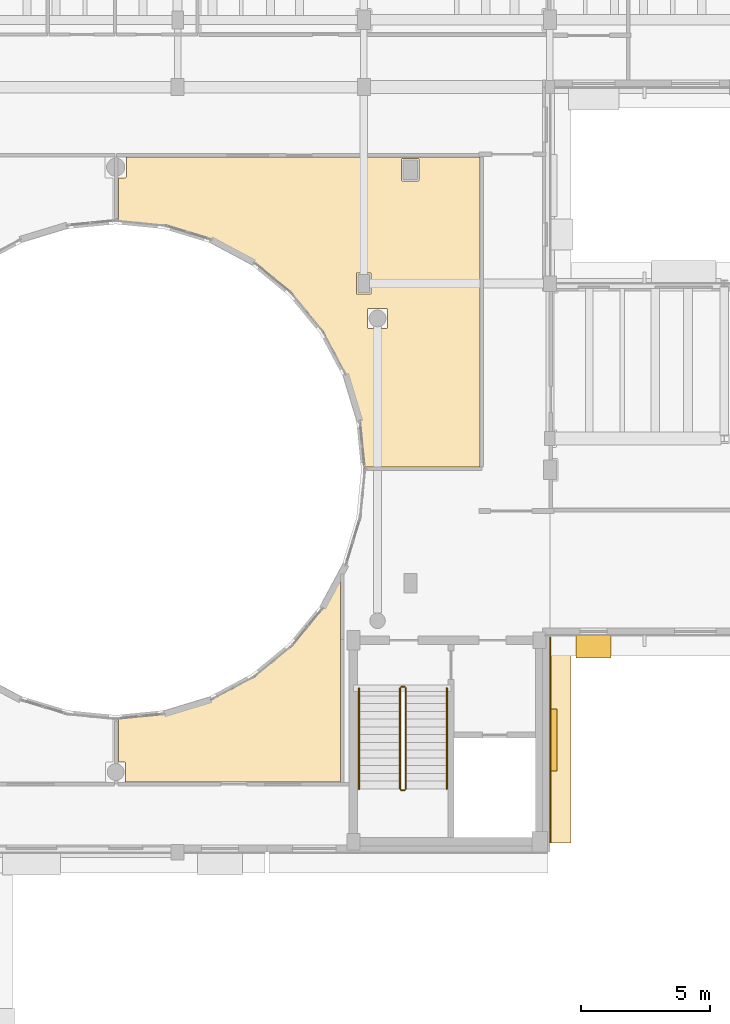
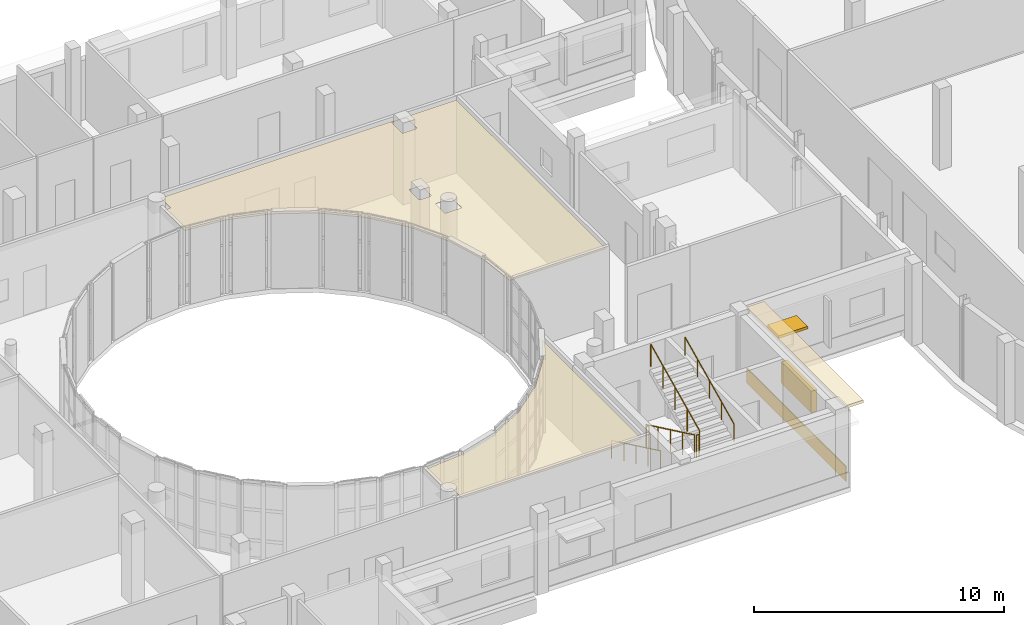
# One storey, part 96 of 105: 6 railings, 4 coverings, 2 shading devices.
"""IFC4 building model written with IfcOpenShell, lengths in metres."""

from ifc_helpers import new_model, si_unit, direction, frame, origin, origin_2d, place, context, subcontext, project, spatial, polyline, rectangle, circle, outline, extrude, material, layer, layer_set, type_object, element, save


model = new_model("IFC4")

# Units and contexts
model_context = context("Model", 3, precision=1e-05, world=origin(), true_north=direction((0.0, 1.0)))
body_context = subcontext(model_context, "Body", "Model", "MODEL_VIEW")
ifc_project = project(units=[si_unit("LENGTHUNIT", "METRE"), si_unit("AREAUNIT", "SQUARE_METRE"), si_unit("VOLUMEUNIT", "CUBIC_METRE"), si_unit("PLANEANGLEUNIT", "RADIAN"), si_unit("MASSUNIT", "GRAM", prefix="KILO")], contexts=[model_context])

# Site, building, storey
site_placement = place(None, origin())
site = spatial("IfcSite", under=ifc_project, at=site_placement, CompositionType="ELEMENT")
building_placement = place(site_placement, origin())
building = spatial("IfcBuilding", under=site, at=building_placement, Name="Kelanivale Promenade Academy", CompositionType="ELEMENT")
storey_placement = place(building_placement, frame((0.0, 0.0, 4.199951171875)))
storey = spatial("IfcBuildingStorey", under=building, at=storey_placement, Name="L01", CompositionType="ELEMENT", Elevation=4.199951171875)

# Coverings
ifc_material_1 = material(Name="Warm ivory Art Deco stucco frieze band 40 mm", Category="masonry")
ifc_layer_1 = layer(ifc_material_1, 0.0400390625)
ifc_layer_set_1 = layer_set([ifc_layer_1], Name="Warm ivory Art Deco stucco frieze band 40 mm")
covering_type_1 = type_object("IfcCoveringType", Name="COV-CLD2 Warm ivory Art Deco stucco frieze ba", PredefinedType="CLADDING", material=ifc_layer_set_1)
covering_1_placement = place(storey_placement, frame((116.0, 46.340087890625, 3.6201171875), z_axis=(0.0, 0.0, 1.0), x_axis=(0.0, 1.0, 0.0)))
element("IfcCovering", 1, at=covering_1_placement, inside=storey, type_object=covering_type_1, Name="Art Deco projecting 820 mm streamline sunshade eyebrow ledge", PredefinedType="CLADDING", context=body_context, shape_type="SweptSolid", body=[
    extrude(rectangle(XDim=7.9599609375, YDim=0.820068359375, at=origin_2d()), origin(), (0.0, 0.0, 1.0), 0.139892578125),
])
covering_2_placement = place(storey_placement, frame((115.614990234375, 46.340087890625, 0.06005859375), z_axis=(0.0, 0.0, 1.0), x_axis=(0.0, 1.0, 0.0)))
element("IfcCovering", 2, at=covering_2_placement, inside=storey, type_object=covering_type_1, Name="Art Deco ivory stucco sill frieze band", PredefinedType="CLADDING", context=body_context, shape_type="SweptSolid", body=[
    extrude(rectangle(XDim=7.9599609375, YDim=0.0400390625, at=origin_2d()), origin(), (0.0, 0.0, 1.0), 0.719970703125),
])
ifc_material_2 = material(Name="Acoustic mineral-fibre ceiling tile 25 mm", Category="gypsum")
ifc_layer_2 = layer(ifc_material_2, 0.02490234375)
ifc_layer_set_2 = layer_set([ifc_layer_2], Name="Acoustic mineral-fibre ceiling tile 25 mm")
covering_type_2 = type_object("IfcCoveringType", Name="COV-CLG1 Acoustic mineral-fibre ceiling tile ", PredefinedType="CEILING", material=ifc_layer_set_2)
covering_3_placement = place(storey_placement, frame((0.0, 0.0, 3.550048828125)))
element("IfcCovering", 3, at=covering_3_placement, inside=storey, type_object=covering_type_2, Name="Junior Classroom East A acoustic suspended ceiling", PredefinedType="CEILING", context=body_context, shape_type="SweptSolid", body=[
    extrude(outline(polyline([(105.636962890625, 49.989990234375), (105.632080078125, 49.98388671875), (105.6240234375, 49.97607421875), (105.615966796875, 49.968017578125), (105.610107421875, 49.962890625), (104.177001953125, 48.7880859375), (104.175048828125, 48.787109375), (104.166015625, 48.780029296875), (104.157958984375, 48.77392578125), (104.14794921875, 48.76806640625), (104.14501953125, 48.76611328125), (102.510009765625, 47.89306640625), (102.508056640625, 47.89208984375), (102.498046875, 47.886962890625), (102.489013671875, 47.884033203125), (102.47802734375, 47.8798828125), (102.47412109375, 47.8779296875), (100.700927734375, 47.340087890625), (100.69189453125, 47.337890625), (100.680908203125, 47.3359375), (100.679931640625, 47.3359375), (100.66796875, 47.333984375), (100.6630859375, 47.3330078125), (98.909912109375, 47.160888671875), (98.909912109375, 45.485107421875), (99.14501953125, 45.485107421875), (99.14892578125, 45.485107421875), (99.153076171875, 45.48388671875), (99.156982421875, 45.48291015625), (99.159912109375, 45.48193359375), (99.1640625, 45.47998046875), (99.1669921875, 45.47802734375), (99.169921875, 45.47607421875), (99.173095703125, 45.472900390625), (99.176025390625, 45.469970703125), (99.177978515625, 45.467041015625), (99.179931640625, 45.464111328125), (99.181884765625, 45.4599609375), (99.18310546875, 45.45703125), (99.18408203125, 45.452880859375), (99.18505859375, 45.448974609375), (99.18505859375, 45.445068359375), (99.18505859375, 44.7548828125), (99.18505859375, 44.7509765625), (99.18408203125, 44.7470703125), (99.18310546875, 44.742919921875), (99.181884765625, 44.739990234375), (99.179931640625, 44.736083984375), (99.177978515625, 44.73291015625), (99.176025390625, 44.72998046875), (99.173095703125, 44.72705078125), (99.169921875, 44.72412109375), (99.1669921875, 44.721923828125), (99.1640625, 44.719970703125), (99.159912109375, 44.718017578125), (99.156982421875, 44.717041015625), (99.153076171875, 44.716064453125), (99.14892578125, 44.715087890625), (99.14501953125, 44.715087890625), (98.909912109375, 44.715087890625), (98.909912109375, 44.7099609375), (107.489990234375, 44.7099609375), (107.489990234375, 52.68408203125), (106.833984375, 51.455078125), (106.83203125, 51.451904296875), (106.825927734375, 51.44189453125), (106.820068359375, 51.43408203125), (106.81298828125, 51.425048828125), (106.81201171875, 51.423095703125), (105.636962890625, 49.989990234375)])), origin(), (0.0, 0.0, 1.0), 0.02490234375),
])
covering_4_placement = place(storey_placement, frame((0.0, 0.0, 3.550048828125)))
element("IfcCovering", 4, at=covering_4_placement, inside=storey, type_object=covering_type_2, Name="Language Studio East B acoustic suspended ceiling", PredefinedType="CEILING", context=body_context, shape_type="SweptSolid", body=[
    extrude(outline(polyline([(112.889892578125, 68.889892578125), (99.205078125, 68.889892578125), (99.205078125, 68.888916015625), (99.20703125, 68.885009765625), (99.2080078125, 68.882080078125), (99.208984375, 68.8779296875), (99.2099609375, 68.8740234375), (99.2099609375, 68.8701171875), (99.2099609375, 68.1298828125), (99.2099609375, 68.1259765625), (99.208984375, 68.1220703125), (99.2080078125, 68.117919921875), (99.20703125, 68.114990234375), (99.205078125, 68.111083984375), (99.202880859375, 68.10791015625), (99.200927734375, 68.10498046875), (99.197998046875, 68.10205078125), (99.195068359375, 68.09912109375), (99.19189453125, 68.096923828125), (99.18896484375, 68.094970703125), (99.18505859375, 68.093017578125), (99.181884765625, 68.092041015625), (99.177978515625, 68.091064453125), (99.174072265625, 68.090087890625), (99.169921875, 68.090087890625), (98.909912109375, 68.090087890625), (98.909912109375, 66.43896484375), (100.6630859375, 66.26708984375), (100.66796875, 66.26611328125), (100.679931640625, 66.263916015625), (100.680908203125, 66.263916015625), (100.69189453125, 66.261962890625), (100.700927734375, 66.260009765625), (102.47412109375, 65.721923828125), (102.47802734375, 65.719970703125), (102.489013671875, 65.716064453125), (102.498046875, 65.712890625), (102.508056640625, 65.7080078125), (102.510009765625, 65.70703125), (104.14501953125, 64.833984375), (104.14794921875, 64.83203125), (104.157958984375, 64.825927734375), (104.166015625, 64.820068359375), (104.175048828125, 64.81298828125), (104.177001953125, 64.81201171875), (105.610107421875, 63.636962890625), (105.615966796875, 63.632080078125), (105.6240234375, 63.6240234375), (105.632080078125, 63.615966796875), (105.636962890625, 63.610107421875), (106.81201171875, 62.177001953125), (106.81298828125, 62.175048828125), (106.820068359375, 62.166015625), (106.825927734375, 62.157958984375), (106.83203125, 62.14794921875), (106.833984375, 62.14501953125), (107.70703125, 60.510009765625), (107.7080078125, 60.508056640625), (107.712890625, 60.498046875), (107.716064453125, 60.489013671875), (107.719970703125, 60.47802734375), (107.721923828125, 60.47412109375), (108.260009765625, 58.700927734375), (108.261962890625, 58.69189453125), (108.263916015625, 58.680908203125), (108.263916015625, 58.679931640625), (108.26611328125, 58.66796875), (108.26708984375, 58.6630859375), (108.43896484375, 56.909912109375), (112.889892578125, 56.909912109375), (112.889892578125, 68.889892578125)]), holes=[polyline([(110.534912109375, 68.0048828125), (110.534912109375, 68.0009765625), (110.533935546875, 67.9970703125), (110.532958984375, 67.992919921875), (110.531982421875, 67.989990234375), (110.530029296875, 67.986083984375), (110.528076171875, 67.98291015625), (110.52587890625, 67.97998046875), (110.52294921875, 67.97705078125), (110.52001953125, 67.97412109375), (110.51708984375, 67.971923828125), (110.513916015625, 67.969970703125), (110.510009765625, 67.968017578125), (110.507080078125, 67.967041015625), (110.5029296875, 67.966064453125), (110.4990234375, 67.965087890625), (110.4951171875, 67.965087890625), (109.905029296875, 67.965087890625), (109.90087890625, 67.965087890625), (109.89697265625, 67.966064453125), (109.89306640625, 67.967041015625), (109.889892578125, 67.968017578125), (109.885986328125, 67.969970703125), (109.883056640625, 67.971923828125), (109.8798828125, 67.97412109375), (109.876953125, 67.97705078125), (109.8740234375, 67.97998046875), (109.8720703125, 67.98291015625), (109.8701171875, 67.986083984375), (109.867919921875, 67.989990234375), (109.866943359375, 67.992919921875), (109.865966796875, 67.9970703125), (109.864990234375, 68.0009765625), (109.864990234375, 68.0048828125), (109.864990234375, 68.794921875), (109.864990234375, 68.799072265625), (109.865966796875, 68.802978515625), (109.866943359375, 68.806884765625), (109.867919921875, 68.81005859375), (109.8701171875, 68.81396484375), (109.8720703125, 68.81689453125), (109.8740234375, 68.820068359375), (109.876953125, 68.822998046875), (109.8798828125, 68.825927734375), (109.883056640625, 68.827880859375), (109.885986328125, 68.830078125), (109.889892578125, 68.83203125), (109.89306640625, 68.8330078125), (109.89697265625, 68.833984375), (109.90087890625, 68.8349609375), (109.905029296875, 68.8349609375), (110.4951171875, 68.8349609375), (110.4990234375, 68.8349609375), (110.5029296875, 68.833984375), (110.507080078125, 68.8330078125), (110.510009765625, 68.83203125), (110.513916015625, 68.830078125), (110.51708984375, 68.827880859375), (110.52001953125, 68.825927734375), (110.52294921875, 68.822998046875), (110.52587890625, 68.820068359375), (110.528076171875, 68.81689453125), (110.530029296875, 68.81396484375), (110.531982421875, 68.81005859375), (110.532958984375, 68.806884765625), (110.533935546875, 68.802978515625), (110.534912109375, 68.799072265625), (110.534912109375, 68.794921875), (110.534912109375, 68.0048828125)]), polyline([(109.277099609375, 63.034912109375), (109.281005859375, 63.034912109375), (109.284912109375, 63.033935546875), (109.2890625, 63.032958984375), (109.2919921875, 63.031982421875), (109.2958984375, 63.030029296875), (109.299072265625, 63.028076171875), (109.302001953125, 63.02587890625), (109.304931640625, 63.02294921875), (109.30810546875, 63.02001953125), (109.31005859375, 63.01708984375), (109.31201171875, 63.013916015625), (109.31396484375, 63.010009765625), (109.31494140625, 63.007080078125), (109.31591796875, 63.0029296875), (109.31689453125, 62.9990234375), (109.31689453125, 62.9951171875), (109.31689453125, 62.304931640625), (109.31689453125, 62.301025390625), (109.31591796875, 62.297119140625), (109.31494140625, 62.29296875), (109.31396484375, 62.2900390625), (109.31201171875, 62.285888671875), (109.31005859375, 62.282958984375), (109.30810546875, 62.280029296875), (109.304931640625, 62.277099609375), (109.302001953125, 62.27392578125), (109.299072265625, 62.27197265625), (109.2958984375, 62.27001953125), (109.2919921875, 62.26806640625), (109.2890625, 62.26708984375), (109.284912109375, 62.26611328125), (109.281005859375, 62.264892578125), (109.277099609375, 62.264892578125), (108.5869140625, 62.264892578125), (108.5830078125, 62.264892578125), (108.5791015625, 62.26611328125), (108.574951171875, 62.26708984375), (108.572021484375, 62.26806640625), (108.568115234375, 62.27001953125), (108.56494140625, 62.27197265625), (108.56201171875, 62.27392578125), (108.55908203125, 62.277099609375), (108.555908203125, 62.280029296875), (108.553955078125, 62.282958984375), (108.552001953125, 62.285888671875), (108.550048828125, 62.2900390625), (108.549072265625, 62.29296875), (108.548095703125, 62.297119140625), (108.547119140625, 62.301025390625), (108.547119140625, 62.304931640625), (108.547119140625, 62.9951171875), (108.547119140625, 62.9990234375), (108.548095703125, 63.0029296875), (108.549072265625, 63.007080078125), (108.550048828125, 63.010009765625), (108.552001953125, 63.013916015625), (108.553955078125, 63.01708984375), (108.555908203125, 63.02001953125), (108.55908203125, 63.02294921875), (108.56201171875, 63.02587890625), (108.56494140625, 63.028076171875), (108.568115234375, 63.030029296875), (108.572021484375, 63.031982421875), (108.574951171875, 63.032958984375), (108.5791015625, 63.033935546875), (108.5830078125, 63.034912109375), (108.5869140625, 63.034912109375), (109.277099609375, 63.034912109375)]), polyline([(108.68505859375, 63.6298828125), (108.68505859375, 63.6259765625), (108.68408203125, 63.6220703125), (108.68310546875, 63.617919921875), (108.681884765625, 63.614990234375), (108.679931640625, 63.611083984375), (108.677978515625, 63.60791015625), (108.676025390625, 63.60498046875), (108.673095703125, 63.60205078125), (108.669921875, 63.59912109375), (108.6669921875, 63.596923828125), (108.6640625, 63.594970703125), (108.659912109375, 63.593017578125), (108.656982421875, 63.592041015625), (108.653076171875, 63.591064453125), (108.64892578125, 63.590087890625), (108.64501953125, 63.590087890625), (108.155029296875, 63.590087890625), (108.15087890625, 63.590087890625), (108.14697265625, 63.591064453125), (108.14306640625, 63.592041015625), (108.139892578125, 63.593017578125), (108.135986328125, 63.594970703125), (108.133056640625, 63.596923828125), (108.1298828125, 63.59912109375), (108.126953125, 63.60205078125), (108.1240234375, 63.60498046875), (108.1220703125, 63.60791015625), (108.1201171875, 63.611083984375), (108.117919921875, 63.614990234375), (108.116943359375, 63.617919921875), (108.115966796875, 63.6220703125), (108.114990234375, 63.6259765625), (108.114990234375, 63.6298828125), (108.114990234375, 64.3701171875), (108.114990234375, 64.3740234375), (108.115966796875, 64.3779296875), (108.116943359375, 64.382080078125), (108.117919921875, 64.385009765625), (108.1201171875, 64.388916015625), (108.1220703125, 64.39208984375), (108.1240234375, 64.39501953125), (108.126953125, 64.39794921875), (108.1298828125, 64.40087890625), (108.133056640625, 64.403076171875), (108.135986328125, 64.405029296875), (108.139892578125, 64.406982421875), (108.14306640625, 64.407958984375), (108.14697265625, 64.408935546875), (108.15087890625, 64.409912109375), (108.155029296875, 64.409912109375), (108.64501953125, 64.409912109375), (108.64892578125, 64.409912109375), (108.653076171875, 64.408935546875), (108.656982421875, 64.407958984375), (108.659912109375, 64.406982421875), (108.6640625, 64.405029296875), (108.6669921875, 64.403076171875), (108.669921875, 64.40087890625), (108.673095703125, 64.39794921875), (108.676025390625, 64.39501953125), (108.677978515625, 64.39208984375), (108.679931640625, 64.388916015625), (108.681884765625, 64.385009765625), (108.68310546875, 64.382080078125), (108.68408203125, 64.3779296875), (108.68505859375, 64.3740234375), (108.68505859375, 64.3701171875), (108.68505859375, 63.6298828125)])]), origin(), (0.0, 0.0, 1.0), 0.02490234375),
])

# Railings
ifc_material_3 = material(Name="Brushed stainless steel grade 316", Category="steel")
railing_type_1 = type_object("IfcRailingType", Name="GR-01 Stair Guard 1100mm", PredefinedType="BALUSTRADE", material=ifc_material_3)
railing_1_placement = place(storey_placement, frame((109.804931640625, 48.344970703125, 0.142822265625)))
element("IfcRailing", 5, at=railing_1_placement, inside=storey, type_object=railing_type_1, Name="L01 ST-03 stair guard 1", PredefinedType="BALUSTRADE", context=body_context, shape_type="SweptSolid", body=[
    extrude(circle(Radius=0.02392578125, at=origin_2d()), frame((0.0, 0.0, 1.09619140625), z_axis=(0.0, -0.902853205547, 0.429948937937), x_axis=(1.0, 0.0, 0.0)), (0.0, 0.0, 1.0), 4.319580078125),
    extrude(circle(Radius=0.02099609375, at=origin_2d()), origin(), (0.0, 0.0, 1.0), 1.072021484375),
    extrude(circle(Radius=0.02099609375, at=origin_2d()), frame((0.0, -0.97509765625, 0.46435546875)), (0.0, 0.0, 1.0), 1.072021484375),
    extrude(circle(Radius=0.02099609375, at=origin_2d()), frame((0.0, -1.949951171875, 0.9287109375)), (0.0, 0.0, 1.0), 1.072021484375),
    extrude(circle(Radius=0.02099609375, at=origin_2d()), frame((0.0, -2.9248046875, 1.392822265625)), (0.0, 0.0, 1.0), 1.072021484375),
    extrude(circle(Radius=0.02099609375, at=origin_2d()), frame((0.0, -3.89990234375, 1.857177734375)), (0.0, 0.0, 1.0), 1.072021484375),
])
railing_2_placement = place(storey_placement, frame((109.85498046875, 44.39501953125, 2.0)))
element("IfcRailing", 6, at=railing_2_placement, inside=storey, type_object=railing_type_1, Name="L01 ST-03 stair guard 2", PredefinedType="BALUSTRADE", context=body_context, shape_type="SweptSolid", body=[
    extrude(circle(Radius=0.02392578125, at=origin_2d()), frame((0.0, 0.0, 1.09619140625), z_axis=(1.0, 0.0, 0.0), x_axis=(0.0, 1.0, 0.0)), (0.0, 0.0, 1.0), 0.1201171875),
    extrude(circle(Radius=0.02099609375, at=origin_2d()), origin(), (0.0, 0.0, 1.0), 1.072021484375),
    extrude(circle(Radius=0.02099609375, at=origin_2d()), frame((0.1201171875, 0.0, 0.0)), (0.0, 0.0, 1.0), 1.072021484375),
])
railing_3_placement = place(storey_placement, frame((110.02490234375, 44.445068359375, 2.142822265625)))
element("IfcRailing", 7, at=railing_3_placement, inside=storey, type_object=railing_type_1, Name="L01 ST-03 stair guard 3", PredefinedType="BALUSTRADE", context=body_context, shape_type="SweptSolid", body=[
    extrude(circle(Radius=0.02392578125, at=origin_2d()), frame((0.0, 0.0, 1.09619140625), z_axis=(0.0, 0.902853205547, 0.429948937937), x_axis=(-1.0, 0.0, 0.0)), (0.0, 0.0, 1.0), 4.319580078125),
    extrude(circle(Radius=0.02099609375, at=origin_2d()), origin(), (0.0, 0.0, 1.0), 1.072021484375),
    extrude(circle(Radius=0.02099609375, at=origin_2d()), frame((0.0, 0.97509765625, 0.46435546875)), (0.0, 0.0, 1.0), 1.072021484375),
    extrude(circle(Radius=0.02099609375, at=origin_2d()), frame((0.0, 1.949951171875, 0.9287109375)), (0.0, 0.0, 1.0), 1.072021484375),
    extrude(circle(Radius=0.02099609375, at=origin_2d()), frame((0.0, 2.9248046875, 1.392822265625)), (0.0, 0.0, 1.0), 1.072021484375),
    extrude(circle(Radius=0.02099609375, at=origin_2d()), frame((0.0, 3.89990234375, 1.857177734375)), (0.0, 0.0, 1.0), 1.072021484375),
])
railing_4_placement = place(storey_placement, frame((109.85498046875, 48.39501953125, 0.0)))
element("IfcRailing", 8, at=railing_4_placement, inside=storey, type_object=railing_type_1, Name="L01 ST-03 stair guard 4", PredefinedType="BALUSTRADE", context=body_context, shape_type="SweptSolid", body=[
    extrude(circle(Radius=0.02392578125, at=origin_2d()), frame((0.0, 0.0, 1.09619140625), z_axis=(1.0, 0.0, 0.0), x_axis=(0.0, 1.0, 0.0)), (0.0, 0.0, 1.0), 0.1201171875),
    extrude(circle(Radius=0.02099609375, at=origin_2d()), origin(), (0.0, 0.0, 1.0), 1.072021484375),
    extrude(circle(Radius=0.02099609375, at=origin_2d()), frame((0.1201171875, 0.0, 0.0)), (0.0, 0.0, 1.0), 1.072021484375),
])
railing_type_2 = type_object("IfcRailingType", Name="HR-01 Pitch Handrail 900mm", PredefinedType="HANDRAIL", material=ifc_material_3)
railing_5_placement = place(storey_placement, frame((108.215087890625, 48.344970703125, 0.142822265625)))
element("IfcRailing", 9, at=railing_5_placement, inside=storey, type_object=railing_type_2, Name="L01 ST-03 stair handrail 1", PredefinedType="HANDRAIL", context=body_context, shape_type="SweptSolid", body=[
    extrude(circle(Radius=0.02392578125, at=origin_2d()), frame((0.0, 0.0, 0.8759765625), z_axis=(0.0, -0.902853205547, 0.429948937937), x_axis=(1.0, 0.0, 0.0)), (0.0, 0.0, 1.0), 4.319580078125),
    extrude(circle(Radius=0.02099609375, at=origin_2d()), origin(), (0.0, 0.0, 1.0), 0.851806640625),
    extrude(circle(Radius=0.02099609375, at=origin_2d()), frame((0.0, -0.97509765625, 0.46435546875)), (0.0, 0.0, 1.0), 0.851806640625),
    extrude(circle(Radius=0.02099609375, at=origin_2d()), frame((0.0, -1.949951171875, 0.9287109375)), (0.0, 0.0, 1.0), 0.851806640625),
    extrude(circle(Radius=0.02099609375, at=origin_2d()), frame((0.0, -2.9248046875, 1.392822265625)), (0.0, 0.0, 1.0), 0.851806640625),
    extrude(circle(Radius=0.02099609375, at=origin_2d()), frame((0.0, -3.89990234375, 1.857177734375)), (0.0, 0.0, 1.0), 0.851806640625),
])
railing_6_placement = place(storey_placement, frame((111.614990234375, 44.445068359375, 2.142822265625)))
element("IfcRailing", 10, at=railing_6_placement, inside=storey, type_object=railing_type_2, Name="L01 ST-03 stair handrail 2", PredefinedType="HANDRAIL", context=body_context, shape_type="SweptSolid", body=[
    extrude(circle(Radius=0.02392578125, at=origin_2d()), frame((0.0, 0.0, 0.8759765625), z_axis=(0.0, 0.902853205547, 0.429948937937), x_axis=(-1.0, 0.0, 0.0)), (0.0, 0.0, 1.0), 4.319580078125),
    extrude(circle(Radius=0.02099609375, at=origin_2d()), origin(), (0.0, 0.0, 1.0), 0.851806640625),
    extrude(circle(Radius=0.02099609375, at=origin_2d()), frame((0.0, 0.97509765625, 0.46435546875)), (0.0, 0.0, 1.0), 0.851806640625),
    extrude(circle(Radius=0.02099609375, at=origin_2d()), frame((0.0, 1.949951171875, 0.9287109375)), (0.0, 0.0, 1.0), 0.851806640625),
    extrude(circle(Radius=0.02099609375, at=origin_2d()), frame((0.0, 2.9248046875, 1.392822265625)), (0.0, 0.0, 1.0), 0.851806640625),
    extrude(circle(Radius=0.02099609375, at=origin_2d()), frame((0.0, 3.89990234375, 1.857177734375)), (0.0, 0.0, 1.0), 0.851806640625),
])

# Shading devices
ifc_material_4 = material(Name="Precast concrete C40/50", Category="concrete")
ifc_layer_3 = layer(ifc_material_4, 0.1201171875)
ifc_layer_set_3 = layer_set([ifc_layer_3], Name="Precast concrete C40/50")
shading_device_type_1 = type_object("IfcShadingDeviceType", Name="SHD-01 Art Deco Sunshade Eyebrow 900mm", PredefinedType="USERDEFINED", material=ifc_layer_set_3)
shading_device_1_placement = place(storey_placement, frame((117.2900390625, 49.9599609375, 2.360107421875), z_axis=(0.0, 0.0, 1.0), x_axis=(1.0, 0.0, 0.0)))
element("IfcShadingDevice", 11, at=shading_device_1_placement, inside=storey, type_object=shading_device_type_1, Name="Art Deco 900 mm precast chajja window sunshade", ObjectType="SUNSHADE", PredefinedType="USERDEFINED", context=body_context, shape_type="SweptSolid", body=[
    extrude(rectangle(XDim=1.35009765625, YDim=0.89990234375, at=origin_2d()), origin(), (0.0, 0.0, 1.0), 0.1201171875),
])
ifc_material_5 = material(Name="Bronze anodised aluminium EN AW-6063 T6", Category="aluminium")
ifc_layer_4 = layer(ifc_material_5, 0.080078125)
ifc_layer_set_4 = layer_set([ifc_layer_4], Name="Bronze anodised aluminium EN AW-6063 T6")
shading_device_type_2 = type_object("IfcShadingDeviceType", Name="SHD-02 Perforated Brise-Soleil Screen", PredefinedType="JALOUSIE", material=ifc_layer_set_4)
shading_device_2_placement = place(storey_placement, frame((115.735107421875, 46.340087890625, 1.72509765625), z_axis=(0.0, 0.0, 1.0), x_axis=(0.0, 1.0, 0.0)))
element("IfcShadingDevice", 12, at=shading_device_2_placement, inside=storey, type_object=shading_device_type_2, Name="Perforated Art Deco brise-soleil louvre screen", PredefinedType="JALOUSIE", context=body_context, shape_type="SweptSolid", body=[
    extrude(rectangle(XDim=2.39990234375, YDim=0.280029296875, at=origin_2d()), origin(), (0.0, 0.0, 1.0), 1.050048828125),
])

save(model, "model.ifc")
